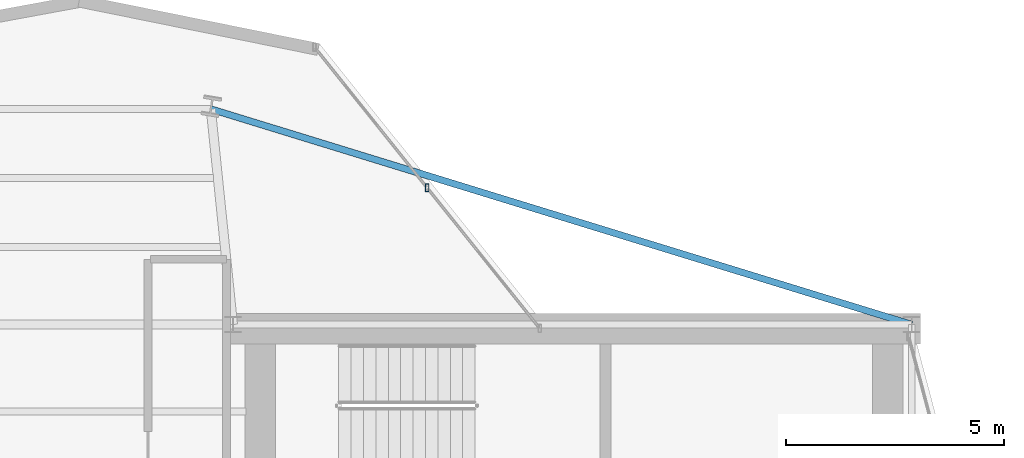
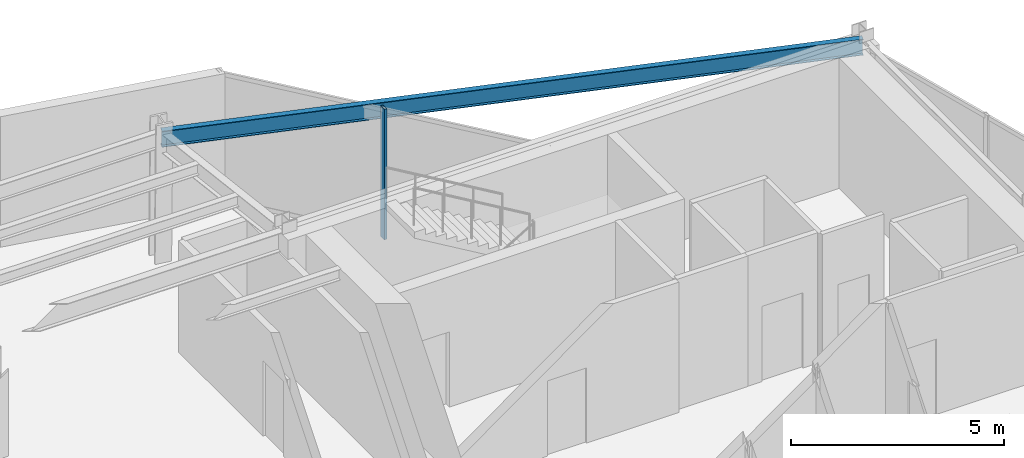
# One storey, part 12 of 23: 1 beam, 1 member, 1 element without a shape of its own.
"""IFC4 building model written with IfcOpenShell, lengths in metres."""

from ifc_helpers import new_model, si_unit, direction, frame, origin, origin_2d, place, context, subcontext, project, spatial, hollow_rectangle, i_section, extrude, material, layer, layer_set, material_profile, profile_set, type_object, element, aggregate, save


model = new_model("IFC4")

# Units and contexts
model_context = context("Model", 3, precision=1e-05, world=origin(), true_north=direction((0.0, 1.0)))
body_context = subcontext(model_context, "Body", "Model", "MODEL_VIEW")
ifc_project = project(units=[si_unit("LENGTHUNIT", "METRE"), si_unit("AREAUNIT", "SQUARE_METRE"), si_unit("VOLUMEUNIT", "CUBIC_METRE"), si_unit("PLANEANGLEUNIT", "RADIAN"), si_unit("MASSUNIT", "GRAM", prefix="KILO")], contexts=[model_context])

# Site, building, storey
site_placement = place(None, origin())
site = spatial("IfcSite", under=ifc_project, at=site_placement, CompositionType="ELEMENT")
building_placement = place(site_placement, origin())
building = spatial("IfcBuilding", under=site, at=building_placement, Name="Veymaron Broadcast Tower", CompositionType="ELEMENT")
storey_placement = place(building_placement, frame((0.0, 0.0, 252.60009765625)))
storey = spatial("IfcBuildingStorey", under=building, at=storey_placement, Name="L59", CompositionType="ELEMENT", Elevation=252.60009765625)

# Beam
ifc_material_1 = material(Name="Structural steel ASTM A992 Gr 50", Category="steel")
ifc_material_profile_1 = material_profile(ifc_material_1, i_section(OverallWidth=0.154052734375, OverallDepth=0.458984375, WebThickness=0.009033203125, FlangeThickness=0.015380859375, at=origin_2d()), Name="W460X68")
ifc_profile_set_1 = profile_set([ifc_material_profile_1], Name="Structural steel ASTM A992 Gr 50")
beam_type = type_object("IfcBeamType", Name="BM-SP2", PredefinedType="SPANDREL", material=ifc_profile_set_1)
beam_placement = place(storey_placement, frame((54.60009765625, 32.0, 3.50048828125), z_axis=(-0.955853215555, 0.293844568289, 0.0), x_axis=(-0.293844568289, -0.955853215555, 0.0)))
element("IfcBeam", 1, at=beam_placement, inside=storey, type_object=beam_type, Name="L59 primary structural floor girder", PredefinedType="SPANDREL", context=body_context, shape_type="SweptSolid", body=[
    extrude(i_section(OverallWidth=0.154052734375, OverallDepth=0.458984375, WebThickness=0.009033203125, FlangeThickness=0.015380859375, at=origin_2d()), origin(), (0.0, 0.0, 1.0), 16.85205078125),
])

# Curtain wall, member
ifc_material_2 = material(Name="Anodised aluminium AA 6063-T6 and laminated low-E dark glass", Category="aluminium")
ifc_layer = layer(ifc_material_2, 0.179931640625)
ifc_layer_set = layer_set([ifc_layer], Name="Anodised aluminium AA 6063-T6 and laminated low-E dark glass")
curtain_wall_type = type_object("IfcCurtainWallType", Name="CW-SYS-05", PredefinedType="NOTDEFINED", material=ifc_layer_set)
curtain_wall_placement = place(storey_placement, origin())
curtain_wall = element("IfcCurtainWall", 2, at=curtain_wall_placement, inside=storey, type_object=curtain_wall_type, Name="L59 dark-glass curtain wall CW-L59-E5-1", PredefinedType="NOTDEFINED")
ifc_material_3 = material(Name="Anodised aluminium AA 6063-T6", Category="aluminium")
ifc_material_profile_2 = material_profile(ifc_material_3, hollow_rectangle(XDim=0.074951171875, YDim=0.179931640625, WallThickness=0.0048828125, at=origin_2d()), Name="AL180X75X5")
ifc_profile_set_2 = profile_set([ifc_material_profile_2], Name="Anodised aluminium AA 6063-T6")
member_type = type_object("IfcMemberType", Name="CW-MUL-02", PredefinedType="MULLION", material=ifc_profile_set_2)
member_placement = place(storey_placement, frame((43.46240234375, 35.1435546875, 0.0), z_axis=(0.0, 0.0, 1.0), x_axis=(1.0, 0.0, 0.0)))
member = element("IfcMember", 3, at=member_placement, type_object=member_type, Name="CW-L59-E5-1 mullion 1", PredefinedType="MULLION", context=body_context, shape_type="SweptSolid", body=[
    extrude(hollow_rectangle(XDim=0.074951171875, YDim=0.179931640625, WallThickness=0.0048828125, at=origin_2d()), origin(), (0.0, 0.0, 1.0), 3.72998046875),
])
aggregate(curtain_wall, [member])

save(model, "model.ifc")
